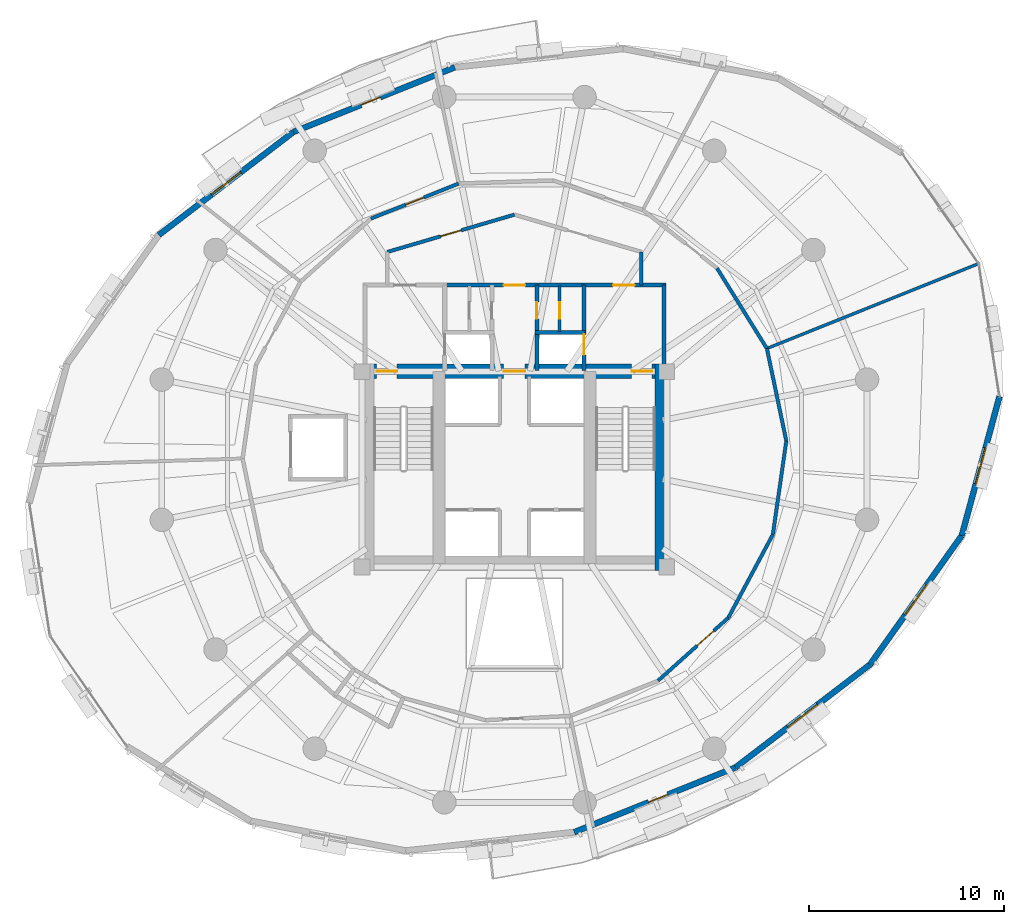
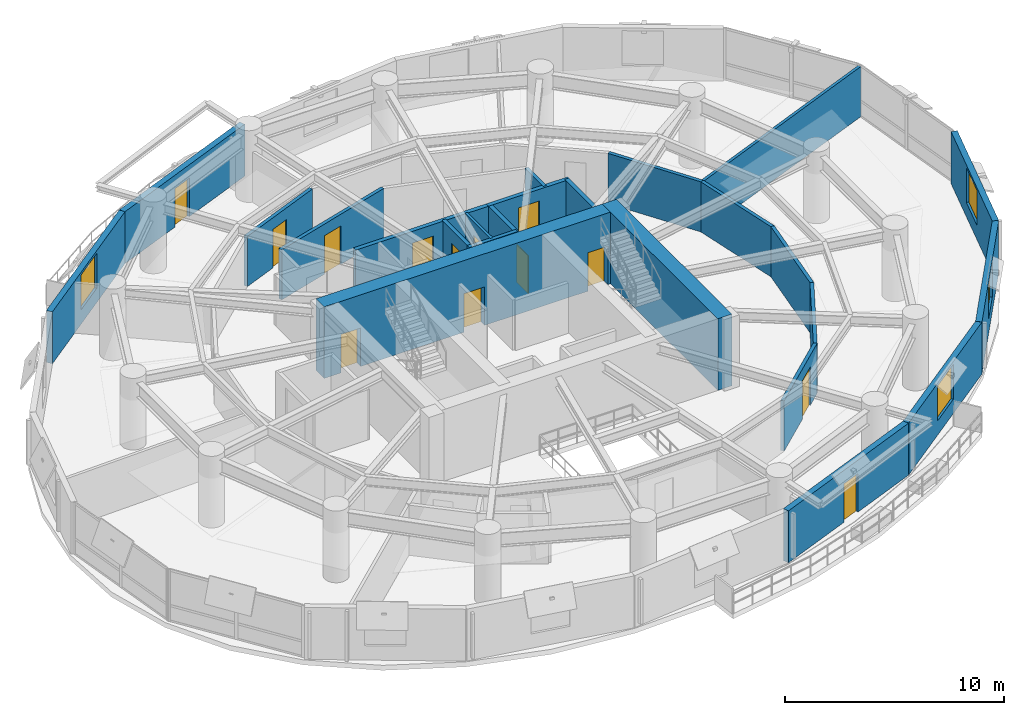
# One storey, part 11 of 14: 24 walls, 13 doors, 4 windows, 17 openings.
"""IFC4 building model written with IfcOpenShell, lengths in metres."""

from ifc_helpers import new_model, si_unit, direction, frame, frame_2d, origin, place, context, subcontext, project, spatial, rectangle, extrude, material, layer, layer_set, type_object, element, fill, save


model = new_model("IFC4")

# Units and contexts
model_context = context("Model", 3, precision=1e-05, world=origin(), true_north=direction((0.0, 1.0)))
body_context = subcontext(model_context, "Body", "Model", "MODEL_VIEW")
ifc_project = project(units=[si_unit("LENGTHUNIT", "METRE"), si_unit("AREAUNIT", "SQUARE_METRE"), si_unit("VOLUMEUNIT", "CUBIC_METRE"), si_unit("PLANEANGLEUNIT", "RADIAN"), si_unit("MASSUNIT", "GRAM", prefix="KILO"), si_unit("THERMODYNAMICTEMPERATUREUNIT", "KELVIN"), si_unit("POWERUNIT", "WATT")], contexts=[model_context])

# Site, building, storey
site_placement = place(None, origin())
site = spatial("IfcSite", under=ifc_project, at=site_placement, CompositionType="ELEMENT")
building_placement = place(site_placement, origin())
building = spatial("IfcBuilding", under=site, at=building_placement, Name="Ocrelia Relay Tower", CompositionType="ELEMENT")
storey_placement = place(building_placement, frame((0.0, 0.0, 125.800048828125)))
storey = spatial("IfcBuildingStorey", under=building, at=storey_placement, Name="L29", CompositionType="ELEMENT", Elevation=125.800048828125)

# Wall, openings, doors
ifc_material_1 = material(Name="Concrete C60/75", Category="concrete")
ifc_layer_1 = layer(ifc_material_1, 0.75, Name="Concrete C60/75")
ifc_layer_set_1 = layer_set([ifc_layer_1], Name="Concrete C60/75")
wall_type_1 = type_object("IfcWallType", Name="CW-CORE-750", PredefinedType="SHEAR", material=ifc_layer_set_1)
wall_1_placement = place(storey_placement, frame((26.072021484375, 30.012939453125, 0.0), z_axis=(0.0, 0.0, 1.0), x_axis=(1.0, 0.0, 0.0)))
wall_1 = element("IfcWall", 1, at=wall_1_placement, inside=storey, type_object=wall_type_1, Name="L29 Core Shear Wall N", PredefinedType="SHEAR", context=body_context, shape_type="SweptSolid", body=[
    extrude(rectangle(XDim=15.865966796875, YDim=0.75, at=frame_2d((7.93310546875, 0.0))), origin(), (0.0, 0.0, 1.0), 4.0),
])
opening_1_placement = place(wall_1_placement, frame((0.8779296875, 0.0, 0.0)))
opening_1 = element("IfcOpeningElement", 2, at=opening_1_placement, cuts=wall_1, Name="Opening D-FD90", PredefinedType="OPENING", context=body_context, shape_type="SweptSolid", body=[
    extrude(rectangle(XDim=1.050048828125, YDim=2.14990234375, at=frame_2d((0.52490234375, 1.074951171875))), frame((0.0, 0.385009765625, 0.0), z_axis=(0.0, -1.0, 0.0), x_axis=(1.0, 0.0, 0.0)), (0.0, 0.0, 1.0), 0.77001953125),
])
opening_2_placement = place(wall_1_placement, frame((13.927978515625, 0.0, 0.0)))
opening_2 = element("IfcOpeningElement", 3, at=opening_2_placement, cuts=wall_1, Name="Opening D-FD90", PredefinedType="OPENING", context=body_context, shape_type="SweptSolid", body=[
    extrude(rectangle(XDim=1.050048828125, YDim=2.14990234375, at=frame_2d((0.52490234375, 1.074951171875))), frame((0.0, 0.385009765625, 0.0), z_axis=(0.0, -1.0, 0.0), x_axis=(1.0, 0.0, 0.0)), (0.0, 0.0, 1.0), 0.77001953125),
])
opening_3_placement = place(wall_1_placement, frame((7.3779296875, 0.0, 0.0)))
opening_3 = element("IfcOpeningElement", 4, at=opening_3_placement, cuts=wall_1, Name="Opening D-FD60", PredefinedType="OPENING", context=body_context, shape_type="SweptSolid", body=[
    extrude(rectangle(XDim=1.10009765625, YDim=2.14990234375, at=frame_2d((0.550048828125, 1.074951171875))), frame((0.0, 0.385009765625, 0.0), z_axis=(0.0, -1.0, 0.0), x_axis=(1.0, 0.0, 0.0)), (0.0, 0.0, 1.0), 0.77001953125),
])
ifc_material_2 = material(Name="Timber-core 60-min acoustic fire door", Category="wood")
door_type_1 = type_object("IfcDoorType", Name="DR-LOBBY-FD60-1100", OperationType="NOTDEFINED", PredefinedType="DOOR", material=ifc_material_2)
door_1_placement = place(opening_3_placement, origin())
door_1 = element("IfcDoor", 5, at=door_1_placement, inside=storey, type_object=door_type_1, Name="L29 Core Lift Lobby North Fire Door", OperationType="SINGLE_SWING_LEFT", OverallHeight=2.14990234375, OverallWidth=1.10009765625, PredefinedType="DOOR", context=body_context, shape_type="SweptSolid", body=[
    extrude(rectangle(XDim=1.10009765625, YDim=2.14990234375, at=frame_2d((0.550048828125, 1.074951171875))), frame((0.0, 0.02490234375, 0.0), z_axis=(0.0, -1.0, 0.0), x_axis=(1.0, 0.0, 0.0)), (0.0, 0.0, 1.0), 0.050048828125),
])
fill(opening_3, door_1)
ifc_material_3 = material(Name="Steel S355 90-min fire door", Category="steel")
door_type_2 = type_object("IfcDoorType", Name="DR-STAIR-FD90-1050", OperationType="NOTDEFINED", PredefinedType="DOOR", material=ifc_material_3)
door_2_placement = place(opening_1_placement, origin())
door_2 = element("IfcDoor", 6, at=door_2_placement, inside=storey, type_object=door_type_2, Name="L29 Stair ST1 Fire Door", OperationType="SINGLE_SWING_LEFT", OverallHeight=2.14990234375, OverallWidth=1.050048828125, PredefinedType="DOOR", context=body_context, shape_type="SweptSolid", body=[
    extrude(rectangle(XDim=1.050048828125, YDim=2.14990234375, at=frame_2d((0.52490234375, 1.074951171875))), frame((0.0, 0.02490234375, 0.0), z_axis=(0.0, -1.0, 0.0), x_axis=(1.0, 0.0, 0.0)), (0.0, 0.0, 1.0), 0.050048828125),
])
fill(opening_1, door_2)
door_3_placement = place(opening_2_placement, origin())
door_3 = element("IfcDoor", 7, at=door_3_placement, inside=storey, type_object=door_type_2, Name="L29 Stair ST2 Fire Door", OperationType="SINGLE_SWING_RIGHT", OverallHeight=2.14990234375, OverallWidth=1.050048828125, PredefinedType="DOOR", context=body_context, shape_type="SweptSolid", body=[
    extrude(rectangle(XDim=1.050048828125, YDim=2.14990234375, at=frame_2d((0.52490234375, 1.074951171875))), frame((0.0, 0.02490234375, 0.0), z_axis=(0.0, -1.0, 0.0), x_axis=(1.0, 0.0, 0.0)), (0.0, 0.0, 1.0), 0.050048828125),
])
fill(opening_2, door_3)

# Walls
wall_2_placement = place(storey_placement, frame((41.56298828125, 19.81201171875, 0.0), z_axis=(0.0, 0.0, 1.0), x_axis=(0.0, 1.0, 0.0)))
element("IfcWall", 8, at=wall_2_placement, inside=storey, type_object=wall_type_1, Name="L29 Core Shear Wall E", PredefinedType="SHEAR", context=body_context, shape_type="SweptSolid", body=[
    extrude(rectangle(XDim=10.575927734375, YDim=0.75, at=frame_2d((5.2880859375, 0.0))), origin(), (0.0, 0.0, 1.0), 4.0),
])
ifc_material_4 = material(Name="Gypsum Fireboard Partition EI60", Category="gypsum")
ifc_layer_2 = layer(ifc_material_4, 0.179931640625, Name="Gypsum Fireboard Partition EI60")
ifc_layer_set_2 = layer_set([ifc_layer_2], Name="Gypsum Fireboard Partition EI60")
wall_type_2 = type_object("IfcWallType", Name="W-CORR-EI60-180", PredefinedType="PARTITIONING", material=ifc_layer_set_2)
wall_3_placement = place(storey_placement, frame((40.5, 36.122802734375, 0.0), z_axis=(0.0, 0.0, 1.0), x_axis=(0.0, -1.0, 0.0)))
element("IfcWall", 9, at=wall_3_placement, inside=storey, type_object=wall_type_2, Name="L29 Smoke Lobby East Return", PredefinedType="PARTITIONING", context=body_context, shape_type="SweptSolid", body=[
    extrude(rectangle(XDim=1.69287109375, YDim=0.179931640625, at=frame_2d((0.846435546875, 0.0))), origin(), (0.0, 0.0, 1.0), 2.800048828125),
])

# Wall, opening, door
wall_4_placement = place(storey_placement, frame((27.5, 36.122802734375, 0.0), z_axis=(0.0, 0.0, 1.0), x_axis=(0.959546654541, 0.281549671923, 0.0)))
wall_4 = element("IfcWall", 10, at=wall_4_placement, inside=storey, type_object=wall_type_2, Name="L29 North Smoke Lobby W Screen Wall", PredefinedType="PARTITIONING", context=body_context, shape_type="SweptSolid", body=[
    extrude(rectangle(XDim=6.77392578125, YDim=0.179931640625, at=frame_2d((3.386962890625, 0.0))), origin(), (0.0, 0.0, 1.0), 2.800048828125),
])
opening_4_placement = place(wall_4_placement, frame((2.8369140625, 0.0, 0.0)))
opening_4 = element("IfcOpeningElement", 11, at=opening_4_placement, cuts=wall_4, Name="Opening D-FD60", PredefinedType="OPENING", context=body_context, shape_type="SweptSolid", body=[
    extrude(rectangle(XDim=1.10009765625, YDim=2.14990234375, at=frame_2d((0.550048828125, 1.074951171875))), frame((0.0, 0.10009765625, 0.0), z_axis=(0.0, -1.0, 0.0), x_axis=(1.0, 0.0, 0.0)), (0.0, 0.0, 1.0), 0.199951171875),
])
door_4_placement = place(opening_4_placement, origin())
door_4 = element("IfcDoor", 12, at=door_4_placement, inside=storey, type_object=door_type_1, Name="L29 North Smoke Lobby W Fire Door", OperationType="SINGLE_SWING_LEFT", OverallHeight=2.14990234375, OverallWidth=1.10009765625, PredefinedType="DOOR", context=body_context, shape_type="SweptSolid", body=[
    extrude(rectangle(XDim=1.10009765625, YDim=2.14990234375, at=frame_2d((0.550048828125, 1.074951171875))), frame((0.0, 0.02490234375, 0.0), z_axis=(0.0, -1.0, 0.0), x_axis=(1.0, 0.0, 0.0)), (0.0, 0.0, 1.0), 0.050048828125),
])
fill(opening_4, door_4)

wall_5_placement = place(storey_placement, frame((41.345458984375, 14.17578125, 0.0), z_axis=(0.0, 0.0, 1.0), x_axis=(0.744874027172, 0.66720512861, 0.0)))
wall_5 = element("IfcWall", 13, at=wall_5_placement, inside=storey, type_object=wall_type_2, Name="L29 Optical Switching Hall A Corridor Partition 2", PredefinedType="PARTITIONING", context=body_context, shape_type="SweptSolid", body=[
    extrude(rectangle(XDim=4.83447265625, YDim=0.179931640625, at=frame_2d((2.417236328125, 0.0))), origin(), (0.0, 0.0, 1.0), 2.800048828125),
])
opening_5_placement = place(wall_5_placement, frame((2.688232421875, 0.0, 0.0)))
opening_5 = element("IfcOpeningElement", 14, at=opening_5_placement, cuts=wall_5, Name="Opening D-RM115", PredefinedType="OPENING", context=body_context, shape_type="SweptSolid", body=[
    extrude(rectangle(XDim=1.14990234375, YDim=2.14990234375, at=frame_2d((0.574951171875, 1.074951171875))), frame((0.0, 0.10009765625, 0.0), z_axis=(0.0, -1.0, 0.0), x_axis=(1.0, 0.0, 0.0)), (0.0, 0.0, 1.0), 0.199951171875),
])
ifc_material_5 = material(Name="Wide acoustic oak veneer fire door", Category="wood")
door_type_3 = type_object("IfcDoorType", Name="DR-ROOM-1150", OperationType="NOTDEFINED", PredefinedType="DOOR", material=ifc_material_5)
door_5_placement = place(opening_5_placement, origin())
door_5 = element("IfcDoor", 15, at=door_5_placement, inside=storey, type_object=door_type_3, Name="L29 Optical Switching Hall A Entrance Door", OperationType="SINGLE_SWING_RIGHT", OverallHeight=2.14990234375, OverallWidth=1.14990234375, PredefinedType="DOOR", context=body_context, shape_type="SweptSolid", body=[
    extrude(rectangle(XDim=1.14990234375, YDim=2.14990234375, at=frame_2d((0.574951171875, 1.074951171875))), frame((0.0, 0.02490234375, 0.0), z_axis=(0.0, -1.0, 0.0), x_axis=(1.0, 0.0, 0.0)), (0.0, 0.0, 1.0), 0.050048828125),
])
fill(opening_5, door_5)

# Walls
wall_6_placement = place(storey_placement, frame((44.946533203125, 17.4013671875, 0.0), z_axis=(0.0, 0.0, 1.0), x_axis=(0.4717883109, 0.881711851853, 0.0)))
element("IfcWall", 16, at=wall_6_placement, inside=storey, type_object=wall_type_2, Name="L29 Optical Switching Hall A Corridor Partition 3", PredefinedType="PARTITIONING", context=body_context, shape_type="SweptSolid", body=[
    extrude(rectangle(XDim=4.834228515625, YDim=0.179931640625, at=frame_2d((2.4169921875, 0.0))), origin(), (0.0, 0.0, 1.0), 2.800048828125),
])
wall_7_placement = place(storey_placement, frame((47.227294921875, 21.663818359375, 0.0), z_axis=(0.0, 0.0, 1.0), x_axis=(0.141753638595, 0.989901967846, 0.0)))
element("IfcWall", 17, at=wall_7_placement, inside=storey, type_object=wall_type_2, Name="L29 Optical Switching Hall A Corridor Partition 4", PredefinedType="PARTITIONING", context=body_context, shape_type="SweptSolid", body=[
    extrude(rectangle(XDim=4.83447265625, YDim=0.179931640625, at=frame_2d((2.417236328125, 0.0))), origin(), (0.0, 0.0, 1.0), 2.800048828125),
])
for number, where, z_axis, x_axis, name in (
    (18, (47.91259765625, 26.449462890625, 0.0), (0.0, 0.0, 1.0), (-0.205343584518, 0.978689946969, 0.0), "L29 Optical Switching Hall A Corridor Partition 5"),
    (19, (46.919921875, 31.1806640625, 0.0), (0.0, 0.0, 1.0), (-0.527690930955, 0.849436449293, 0.0), "L29 Technical Reference Library Corridor Partition 1"),
):
    element("IfcWall", number, at=place(storey_placement, frame(where, z_axis=z_axis, x_axis=x_axis)), inside=storey, type_object=wall_type_2, Name=name, PredefinedType="PARTITIONING", context=body_context, shape_type="SweptSolid", body=[
        extrude(rectangle(XDim=4.834228515625, YDim=0.179931640625, at=frame_2d((2.4169921875, 0.0))), origin(), (0.0, 0.0, 1.0), 2.800048828125),
    ])

# Wall, opening, door
wall_8_placement = place(storey_placement, frame((31.1416015625, 39.623291015625, 0.0), z_axis=(0.0, 0.0, 1.0), x_axis=(-0.928173370801, -0.372148080387, 0.0)))
wall_8 = element("IfcWall", 20, at=wall_8_placement, inside=storey, type_object=wall_type_2, Name="L29 Staff Wellness Room Corridor Partition 1", PredefinedType="PARTITIONING", context=body_context, shape_type="SweptSolid", body=[
    extrude(rectangle(XDim=4.834228515625, YDim=0.179931640625, at=frame_2d((2.4169921875, 0.0))), origin(), (0.0, 0.0, 1.0), 2.800048828125),
])
opening_6_placement = place(wall_8_placement, frame((1.9169921875, 0.0, 0.0)))
opening_6 = element("IfcOpeningElement", 21, at=opening_6_placement, cuts=wall_8, Name="Opening D-RM100", PredefinedType="OPENING", context=body_context, shape_type="SweptSolid", body=[
    extrude(rectangle(XDim=1.0, YDim=2.14990234375, at=frame_2d((0.5, 1.074951171875))), frame((0.0, 0.10009765625, 0.0), z_axis=(0.0, -1.0, 0.0), x_axis=(1.0, 0.0, 0.0)), (0.0, 0.0, 1.0), 0.199951171875),
])
ifc_material_6 = material(Name="Acoustic oak veneer fire door", Category="wood")
door_type_4 = type_object("IfcDoorType", Name="DR-ROOM-FD60-1000", OperationType="NOTDEFINED", PredefinedType="DOOR", material=ifc_material_6)
door_6_placement = place(opening_6_placement, origin())
door_6 = element("IfcDoor", 22, at=door_6_placement, inside=storey, type_object=door_type_4, Name="L29 Staff Wellness Room Entrance Door", OperationType="SINGLE_SWING_LEFT", OverallHeight=2.14990234375, OverallWidth=1.0, PredefinedType="DOOR", context=body_context, shape_type="SweptSolid", body=[
    extrude(rectangle(XDim=1.0, YDim=2.14990234375, at=frame_2d((0.5, 1.074951171875))), frame((0.0, 0.02490234375, 0.0), z_axis=(0.0, -1.0, 0.0), x_axis=(1.0, 0.0, 0.0)), (0.0, 0.0, 1.0), 0.050048828125),
])
fill(opening_6, door_6)

ifc_material_7 = material(Name="Precast concrete C40/50 with oxide terracotta", Category="masonry")
ifc_layer_3 = layer(ifc_material_7, 0.300048828125, Name="Precast concrete C40/50 with oxide terracotta")
ifc_layer_set_3 = layer_set([ifc_layer_3], Name="Precast concrete C40/50 with oxide terracotta")
wall_type_3 = type_object("IfcWallType", Name="W-EXT-TERR-300", PredefinedType="SOLIDWALL", material=ifc_layer_set_3)
wall_9_placement = place(storey_placement, frame((30.942138671875, 45.570068359375, 0.0), z_axis=(0.0, 0.0, 1.0), x_axis=(-0.928154394982, -0.372195404426, 0.0)))
wall_9 = element("IfcWall", 23, at=wall_9_placement, inside=storey, type_object=wall_type_3, Name="L29 Oxide Terracotta Facade Wall 05", PredefinedType="SOLIDWALL", context=body_context, shape_type="SweptSolid", body=[
    extrude(rectangle(XDim=8.890625, YDim=0.300048828125, at=frame_2d((4.4453125, 0.0))), origin(), (0.0, 0.0, 1.0), 2.89990234375),
])
opening_7_placement = place(wall_9_placement, frame((4.110107421875, 0.0, 0.0)))
opening_7 = element("IfcOpeningElement", 24, at=opening_7_placement, cuts=wall_9, Name="Opening DB-105", PredefinedType="OPENING", context=body_context, shape_type="SweptSolid", body=[
    extrude(rectangle(XDim=1.050048828125, YDim=2.14990234375, at=frame_2d((0.52490234375, 1.074951171875))), frame((0.0, 0.16015625, 0.0), z_axis=(0.0, -1.0, 0.0), x_axis=(1.0, 0.0, 0.0)), (0.0, 0.0, 1.0), 0.320068359375),
])
ifc_material_8 = material(Name="Thermally broken aluminium and clear glass", Category="aluminium")
door_type_5 = type_object("IfcDoorType", Name="DR-BALC-1050", OperationType="NOTDEFINED", PredefinedType="DOOR", material=ifc_material_8)
door_7_placement = place(opening_7_placement, origin())
door_7 = element("IfcDoor", 25, at=door_7_placement, inside=storey, type_object=door_type_5, Name="L29 Planted Loggia Balcony Door B1", OperationType="SINGLE_SWING_LEFT", OverallHeight=2.14990234375, OverallWidth=1.050048828125, PredefinedType="DOOR", context=body_context, shape_type="SweptSolid", body=[
    extrude(rectangle(XDim=1.050048828125, YDim=2.14990234375, at=frame_2d((0.52490234375, 1.074951171875))), frame((0.0, 0.02490234375, 0.0), z_axis=(0.0, -1.0, 0.0), x_axis=(1.0, 0.0, 0.0)), (0.0, 0.0, 1.0), 0.050048828125),
])
fill(opening_7, door_7)

# Wall, opening, window
wall_10_placement = place(storey_placement, frame((22.690185546875, 42.260986328125, 0.0), z_axis=(0.0, 0.0, 1.0), x_axis=(-0.794200404565, -0.607655920229, 0.0)))
wall_10 = element("IfcWall", 26, at=wall_10_placement, inside=storey, type_object=wall_type_3, Name="L29 Oxide Terracotta Facade Wall 06", PredefinedType="SOLIDWALL", context=body_context, shape_type="SweptSolid", body=[
    extrude(rectangle(XDim=8.673095703125, YDim=0.300048828125, at=frame_2d((4.33642578125, 0.0))), origin(), (0.0, 0.0, 1.0), 2.89990234375),
])
opening_8_placement = place(wall_10_placement, frame((3.385986328125, 0.0, 0.800048828125)))
opening_8 = element("IfcOpeningElement", 27, at=opening_8_placement, cuts=wall_10, Name="Opening W-06", PredefinedType="OPENING", context=body_context, shape_type="SweptSolid", body=[
    extrude(rectangle(XDim=1.89990234375, YDim=1.949951171875, at=frame_2d((0.949951171875, 0.97509765625))), frame((0.0, 0.16015625, 0.0), z_axis=(0.0, -1.0, 0.0), x_axis=(1.0, 0.0, 0.0)), (0.0, 0.0, 1.0), 0.320068359375),
])
ifc_material_9 = material(Name="Clear double-glazed low-E glass", Category="glass")
window_type = type_object("IfcWindowType", Name="WIN-Z2-1900x2100", PartitioningType="DOUBLE_PANEL_VERTICAL", PredefinedType="WINDOW", material=ifc_material_9)
window_1_placement = place(opening_8_placement, origin())
window_1 = element("IfcWindow", 28, at=window_1_placement, inside=storey, type_object=window_type, Name="L29 Facade Module Window 06", OverallHeight=1.949951171875, OverallWidth=1.89990234375, PartitioningType="SINGLE_PANEL", PredefinedType="WINDOW", context=body_context, shape_type="SweptSolid", body=[
    extrude(rectangle(XDim=1.89990234375, YDim=1.949951171875, at=frame_2d((0.949951171875, 0.97509765625))), frame((0.0, 0.030029296875, 0.0), z_axis=(0.0, -1.0, 0.0), x_axis=(1.0, 0.0, 0.0)), (0.0, 0.0, 1.0), 0.06005859375),
])
fill(opening_8, window_1)

# Wall, opening, door
wall_11_placement = place(storey_placement, frame((37.057861328125, 6.429931640625, 0.0), z_axis=(0.0, 0.0, 1.0), x_axis=(0.928154394982, 0.372195404426, 0.0)))
wall_11 = element("IfcWall", 29, at=wall_11_placement, inside=storey, type_object=wall_type_3, Name="L29 Oxide Terracotta Facade Wall 14", PredefinedType="SOLIDWALL", context=body_context, shape_type="SweptSolid", body=[
    extrude(rectangle(XDim=8.890625, YDim=0.300048828125, at=frame_2d((4.4453125, 0.0))), origin(), (0.0, 0.0, 1.0), 2.89990234375),
])
opening_9_placement = place(wall_11_placement, frame((4.110107421875, 0.0, 0.0)))
opening_9 = element("IfcOpeningElement", 30, at=opening_9_placement, cuts=wall_11, Name="Opening DB-105", PredefinedType="OPENING", context=body_context, shape_type="SweptSolid", body=[
    extrude(rectangle(XDim=1.050048828125, YDim=2.14990234375, at=frame_2d((0.52490234375, 1.074951171875))), frame((0.0, 0.16015625, 0.0), z_axis=(0.0, -1.0, 0.0), x_axis=(1.0, 0.0, 0.0)), (0.0, 0.0, 1.0), 0.320068359375),
])
door_8_placement = place(opening_9_placement, origin())
door_8 = element("IfcDoor", 31, at=door_8_placement, inside=storey, type_object=door_type_5, Name="L29 Planted Loggia Balcony Door B2", OperationType="SINGLE_SWING_LEFT", OverallHeight=2.14990234375, OverallWidth=1.050048828125, PredefinedType="DOOR", context=body_context, shape_type="SweptSolid", body=[
    extrude(rectangle(XDim=1.050048828125, YDim=2.14990234375, at=frame_2d((0.52490234375, 1.074951171875))), frame((0.0, 0.02490234375, 0.0), z_axis=(0.0, -1.0, 0.0), x_axis=(1.0, 0.0, 0.0)), (0.0, 0.0, 1.0), 0.050048828125),
])
fill(opening_9, door_8)

# Wall, opening, window
wall_12_placement = place(storey_placement, frame((45.309814453125, 9.739013671875, 0.0), z_axis=(0.0, 0.0, 1.0), x_axis=(0.794200404565, 0.607655920229, 0.0)))
wall_12 = element("IfcWall", 32, at=wall_12_placement, inside=storey, type_object=wall_type_3, Name="L29 Oxide Terracotta Facade Wall 15", PredefinedType="SOLIDWALL", context=body_context, shape_type="SweptSolid", body=[
    extrude(rectangle(XDim=8.673095703125, YDim=0.300048828125, at=frame_2d((4.33642578125, 0.0))), origin(), (0.0, 0.0, 1.0), 2.89990234375),
])
opening_10_placement = place(wall_12_placement, frame((3.385986328125, 0.0, 0.800048828125)))
opening_10 = element("IfcOpeningElement", 33, at=opening_10_placement, cuts=wall_12, Name="Opening W-06", PredefinedType="OPENING", context=body_context, shape_type="SweptSolid", body=[
    extrude(rectangle(XDim=1.89990234375, YDim=1.949951171875, at=frame_2d((0.949951171875, 0.97509765625))), frame((0.0, 0.16015625, 0.0), z_axis=(0.0, -1.0, 0.0), x_axis=(1.0, 0.0, 0.0)), (0.0, 0.0, 1.0), 0.320068359375),
])
window_2_placement = place(opening_10_placement, origin())
window_2 = element("IfcWindow", 34, at=window_2_placement, inside=storey, type_object=window_type, Name="L29 Facade Module Window 15", OverallHeight=1.949951171875, OverallWidth=1.89990234375, PartitioningType="SINGLE_PANEL", PredefinedType="WINDOW", context=body_context, shape_type="SweptSolid", body=[
    extrude(rectangle(XDim=1.89990234375, YDim=1.949951171875, at=frame_2d((0.949951171875, 0.97509765625))), frame((0.0, 0.030029296875, 0.0), z_axis=(0.0, -1.0, 0.0), x_axis=(1.0, 0.0, 0.0)), (0.0, 0.0, 1.0), 0.06005859375),
])
fill(opening_10, window_2)

wall_13_placement = place(storey_placement, frame((52.197998046875, 15.00927734375, 0.0), z_axis=(0.0, 0.0, 1.0), x_axis=(0.579736538908, 0.814803992047, 0.0)))
wall_13 = element("IfcWall", 35, at=wall_13_placement, inside=storey, type_object=wall_type_3, Name="L29 Oxide Terracotta Facade Wall 16", PredefinedType="SOLIDWALL", context=body_context, shape_type="SweptSolid", body=[
    extrude(rectangle(XDim=8.0947265625, YDim=0.300048828125, at=frame_2d((4.04736328125, 0.0))), origin(), (0.0, 0.0, 1.0), 2.89990234375),
])
opening_11_placement = place(wall_13_placement, frame((3.097900390625, 0.0, 0.800048828125)))
opening_11 = element("IfcOpeningElement", 36, at=opening_11_placement, cuts=wall_13, Name="Opening W-06", PredefinedType="OPENING", context=body_context, shape_type="SweptSolid", body=[
    extrude(rectangle(XDim=1.89990234375, YDim=1.949951171875, at=frame_2d((0.949951171875, 0.97509765625))), frame((0.0, 0.16015625, 0.0), z_axis=(0.0, -1.0, 0.0), x_axis=(1.0, 0.0, 0.0)), (0.0, 0.0, 1.0), 0.320068359375),
])
window_3_placement = place(opening_11_placement, origin())
window_3 = element("IfcWindow", 37, at=window_3_placement, inside=storey, type_object=window_type, Name="L29 Facade Module Window 16", OverallHeight=1.949951171875, OverallWidth=1.89990234375, PartitioningType="SINGLE_PANEL", PredefinedType="WINDOW", context=body_context, shape_type="SweptSolid", body=[
    extrude(rectangle(XDim=1.89990234375, YDim=1.949951171875, at=frame_2d((0.949951171875, 0.97509765625))), frame((0.0, 0.030029296875, 0.0), z_axis=(0.0, -1.0, 0.0), x_axis=(1.0, 0.0, 0.0)), (0.0, 0.0, 1.0), 0.06005859375),
])
fill(opening_11, window_3)

wall_14_placement = place(storey_placement, frame((56.890869140625, 21.60498046875, 0.0), z_axis=(0.0, 0.0, 1.0), x_axis=(0.261681809646, 0.965154200374, 0.0)))
wall_14 = element("IfcWall", 38, at=wall_14_placement, inside=storey, type_object=wall_type_3, Name="L29 Oxide Terracotta Facade Wall 17", PredefinedType="SOLIDWALL", context=body_context, shape_type="SweptSolid", body=[
    extrude(rectangle(XDim=7.383544921875, YDim=0.300048828125, at=frame_2d((3.69189453125, 0.0))), origin(), (0.0, 0.0, 1.0), 2.89990234375),
])
opening_12_placement = place(wall_14_placement, frame((2.741943359375, 0.0, 0.800048828125)))
opening_12 = element("IfcOpeningElement", 39, at=opening_12_placement, cuts=wall_14, Name="Opening W-06", PredefinedType="OPENING", context=body_context, shape_type="SweptSolid", body=[
    extrude(rectangle(XDim=1.89990234375, YDim=1.949951171875, at=frame_2d((0.949951171875, 0.97509765625))), frame((0.0, 0.16015625, 0.0), z_axis=(0.0, -1.0, 0.0), x_axis=(1.0, 0.0, 0.0)), (0.0, 0.0, 1.0), 0.320068359375),
])
window_4_placement = place(opening_12_placement, origin())
window_4 = element("IfcWindow", 40, at=window_4_placement, inside=storey, type_object=window_type, Name="L29 Facade Module Window 17", OverallHeight=1.949951171875, OverallWidth=1.89990234375, PartitioningType="SINGLE_PANEL", PredefinedType="WINDOW", context=body_context, shape_type="SweptSolid", body=[
    extrude(rectangle(XDim=1.89990234375, YDim=1.949951171875, at=frame_2d((0.949951171875, 0.97509765625))), frame((0.0, 0.030029296875, 0.0), z_axis=(0.0, -1.0, 0.0), x_axis=(1.0, 0.0, 0.0)), (0.0, 0.0, 1.0), 0.06005859375),
])
fill(opening_12, window_4)

# Wall, opening, door
ifc_material_10 = material(Name="Concrete C50/60", Category="concrete")
ifc_layer_4 = layer(ifc_material_10, 0.219970703125, Name="Concrete C50/60")
ifc_layer_set_4 = layer_set([ifc_layer_4], Name="Concrete C50/60")
wall_type_4 = type_object("IfcWallType", Name="W-FFL-EI120-220", PredefinedType="SOLIDWALL", material=ifc_layer_set_4)
wall_15_placement = place(storey_placement, frame((37.56005859375, 30.050048828125, 0.0), z_axis=(0.0, 0.0, 1.0), x_axis=(0.0, 1.0, 0.0)))
wall_15 = element("IfcWall", 41, at=wall_15_placement, inside=storey, type_object=wall_type_4, Name="L29 E Fire Service Lift Lobby West Wall", PredefinedType="SOLIDWALL", context=body_context, shape_type="SweptSolid", body=[
    extrude(rectangle(XDim=4.3798828125, YDim=0.219970703125, at=frame_2d((2.18994140625, 0.0))), origin(), (0.0, 0.0, 1.0), 2.800048828125),
])
opening_13_placement = place(wall_15_placement, frame((0.800048828125, 0.0, 0.0)))
opening_13 = element("IfcOpeningElement", 42, at=opening_13_placement, cuts=wall_15, Name="Opening LD-FFL2", PredefinedType="OPENING", context=body_context, shape_type="SweptSolid", body=[
    extrude(rectangle(XDim=1.050048828125, YDim=2.10009765625, at=frame_2d((0.52490234375, 1.050048828125))), frame((0.0, 0.1201171875, 0.0), z_axis=(0.0, -1.0, 0.0), x_axis=(1.0, 0.0, 0.0)), (0.0, 0.0, 1.0), 0.239990234375),
])
ifc_material_11 = material(Name="Brushed stainless steel S355 lift landing door", Category="steel")
door_type_6 = type_object("IfcDoorType", Name="DR-LIFT-LAND-1050", OperationType="DOUBLE_DOOR_SLIDING", PredefinedType="USERDEFINED", material=ifc_material_11)
door_9_placement = place(opening_13_placement, origin())
door_9 = element("IfcDoor", 43, at=door_9_placement, inside=storey, type_object=door_type_6, Name="L29 Firefighting Lift FFL2 Sliding Landing Door", ObjectType="LANDING DOOR", OperationType="DOUBLE_DOOR_SLIDING", OverallHeight=2.10009765625, OverallWidth=1.050048828125, PredefinedType="USERDEFINED", context=body_context, shape_type="SweptSolid", body=[
    extrude(rectangle(XDim=1.050048828125, YDim=2.10009765625, at=frame_2d((0.52490234375, 1.050048828125))), frame((0.0, 0.02490234375, 0.0), z_axis=(0.0, -1.0, 0.0), x_axis=(1.0, 0.0, 0.0)), (0.0, 0.0, 1.0), 0.050048828125),
])
fill(opening_13, door_9)

# Wall
wall_16_placement = place(storey_placement, frame((41.64990234375, 30.050048828125, 0.0), z_axis=(0.0, 0.0, 1.0), x_axis=(0.0, 1.0, 0.0)))
element("IfcWall", 44, at=wall_16_placement, inside=storey, type_object=wall_type_4, Name="L29 E Fire Service Lift Lobby East Wall", PredefinedType="SOLIDWALL", context=body_context, shape_type="SweptSolid", body=[
    extrude(rectangle(XDim=4.3798828125, YDim=0.219970703125, at=frame_2d((2.18994140625, 0.0))), origin(), (0.0, 0.0, 1.0), 2.800048828125),
])

# Wall, opening, door
wall_17_placement = place(storey_placement, frame((37.449951171875, 34.429931640625, 0.0), z_axis=(0.0, 0.0, 1.0), x_axis=(1.0, 0.0, 0.0)))
wall_17 = element("IfcWall", 45, at=wall_17_placement, inside=storey, type_object=wall_type_4, Name="L29 E Fire Service Lift Lobby North Wall", PredefinedType="SOLIDWALL", context=body_context, shape_type="SweptSolid", body=[
    extrude(rectangle(XDim=4.31005859375, YDim=0.219970703125, at=frame_2d((2.155029296875, 0.0))), origin(), (0.0, 0.0, 1.0), 2.800048828125),
])
opening_14_placement = place(wall_17_placement, frame((1.60009765625, 0.0, 0.0)))
opening_14 = element("IfcOpeningElement", 46, at=opening_14_placement, cuts=wall_17, Name="Opening D-FD60", PredefinedType="OPENING", context=body_context, shape_type="SweptSolid", body=[
    extrude(rectangle(XDim=1.10009765625, YDim=2.14990234375, at=frame_2d((0.550048828125, 1.074951171875))), frame((0.0, 0.1201171875, 0.0), z_axis=(0.0, -1.0, 0.0), x_axis=(1.0, 0.0, 0.0)), (0.0, 0.0, 1.0), 0.239990234375),
])
door_10_placement = place(opening_14_placement, origin())
door_10 = element("IfcDoor", 47, at=door_10_placement, inside=storey, type_object=door_type_1, Name="L29 E Fire Service Lift Lobby Exit Door", OperationType="SINGLE_SWING_RIGHT", OverallHeight=2.14990234375, OverallWidth=1.10009765625, PredefinedType="DOOR", context=body_context, shape_type="SweptSolid", body=[
    extrude(rectangle(XDim=1.10009765625, YDim=2.14990234375, at=frame_2d((0.550048828125, 1.074951171875))), frame((0.0, 0.02490234375, 0.0), z_axis=(0.0, -1.0, 0.0), x_axis=(1.0, 0.0, 0.0)), (0.0, 0.0, 1.0), 0.050048828125),
])
fill(opening_14, door_10)

wall_18_placement = place(storey_placement, frame((30.43994140625, 34.429931640625, 0.0), z_axis=(0.0, 0.0, 1.0), x_axis=(1.0, 0.0, 0.0)))
wall_18 = element("IfcWall", 48, at=wall_18_placement, inside=storey, type_object=wall_type_4, Name="L29 North Core Vestibule Wall", PredefinedType="SOLIDWALL", context=body_context, shape_type="SweptSolid", body=[
    extrude(rectangle(XDim=7.1201171875, YDim=0.219970703125, at=frame_2d((3.56005859375, 0.0))), origin(), (0.0, 0.0, 1.0), 2.800048828125),
])
opening_15_placement = place(wall_18_placement, frame((3.010009765625, 0.0, 0.0)))
opening_15 = element("IfcOpeningElement", 49, at=opening_15_placement, cuts=wall_18, Name="Opening D-FD60", PredefinedType="OPENING", context=body_context, shape_type="SweptSolid", body=[
    extrude(rectangle(XDim=1.10009765625, YDim=2.14990234375, at=frame_2d((0.550048828125, 1.074951171875))), frame((0.0, 0.1201171875, 0.0), z_axis=(0.0, -1.0, 0.0), x_axis=(1.0, 0.0, 0.0)), (0.0, 0.0, 1.0), 0.239990234375),
])
door_11_placement = place(opening_15_placement, origin())
door_11 = element("IfcDoor", 50, at=door_11_placement, inside=storey, type_object=door_type_1, Name="L29 North Core Vestibule Corridor Door", OperationType="SINGLE_SWING_RIGHT", OverallHeight=2.14990234375, OverallWidth=1.10009765625, PredefinedType="DOOR", context=body_context, shape_type="SweptSolid", body=[
    extrude(rectangle(XDim=1.10009765625, YDim=2.14990234375, at=frame_2d((0.550048828125, 1.074951171875))), frame((0.0, 0.02490234375, 0.0), z_axis=(0.0, -1.0, 0.0), x_axis=(1.0, 0.0, 0.0)), (0.0, 0.0, 1.0), 0.050048828125),
])
fill(opening_15, door_11)

ifc_material_12 = material(Name="Acoustic Fireboard Partition EI60", Category="gypsum")
ifc_layer_5 = layer(ifc_material_12, 0.14990234375, Name="Acoustic Fireboard Partition EI60")
ifc_layer_set_5 = layer_set([ifc_layer_5], Name="Acoustic Fireboard Partition EI60")
wall_type_5 = type_object("IfcWallType", Name="W-PART-150", PredefinedType="PARTITIONING", material=ifc_layer_set_5)
wall_19_placement = place(storey_placement, frame((36.31005859375, 32.050048828125, 0.0), z_axis=(0.0, 0.0, 1.0), x_axis=(0.0, 1.0, 0.0)))
wall_19 = element("IfcWall", 51, at=wall_19_placement, inside=storey, type_object=wall_type_5, Name="L29 East Core Support Partition", PredefinedType="PARTITIONING", context=body_context, shape_type="SweptSolid", body=[
    extrude(rectangle(XDim=2.329833984375, YDim=0.14990234375, at=frame_2d((1.1650390625, 0.0))), origin(), (0.0, 0.0, 1.0), 2.800048828125),
])
opening_16_placement = place(wall_19_placement, frame((0.64990234375, 0.0, 0.0)))
opening_16 = element("IfcOpeningElement", 52, at=opening_16_placement, cuts=wall_19, Name="Opening D-RS86", PredefinedType="OPENING", context=body_context, shape_type="SweptSolid", body=[
    extrude(rectangle(XDim=0.860107421875, YDim=2.050048828125, at=frame_2d((0.43017578125, 1.02490234375))), frame((0.0, 0.0849609375, 0.0), z_axis=(0.0, -1.0, 0.0), x_axis=(1.0, 0.0, 0.0)), (0.0, 0.0, 1.0), 0.169921875),
])
ifc_material_13 = material(Name="Steel S355 riser access fire door", Category="steel")
door_type_7 = type_object("IfcDoorType", Name="DR-RISER-TRAP-860", OperationType="NOTDEFINED", PredefinedType="TRAPDOOR", material=ifc_material_13)
door_12_placement = place(opening_16_placement, origin())
door_12 = element("IfcDoor", 53, at=door_12_placement, inside=storey, type_object=door_type_7, Name="L29 East Core Store Connecting Door", OperationType="SINGLE_SWING_RIGHT", OverallHeight=2.050048828125, OverallWidth=0.860107421875, PredefinedType="TRAPDOOR", context=body_context, shape_type="SweptSolid", body=[
    extrude(rectangle(XDim=0.860107421875, YDim=2.050048828125, at=frame_2d((0.43017578125, 1.02490234375))), frame((0.0, 0.02490234375, 0.0), z_axis=(0.0, -1.0, 0.0), x_axis=(1.0, 0.0, 0.0)), (0.0, 0.0, 1.0), 0.050048828125),
])
fill(opening_16, door_12)

# Walls
wall_20_placement = place(storey_placement, frame((46.919921875, 31.1806640625, 0.0), z_axis=(0.0, 0.0, 1.0), x_axis=(0.928159216565, 0.372183380479, 0.0)))
element("IfcWall", 54, at=wall_20_placement, inside=storey, type_object=wall_type_5, Name="L29 Optical Switching Hall A Radial Partition", PredefinedType="PARTITIONING", context=body_context, shape_type="SweptSolid", body=[
    extrude(rectangle(XDim=11.68017578125, YDim=0.14990234375, at=frame_2d((5.840087890625, 0.0))), origin(), (0.0, 0.0, 1.0), 2.800048828125),
])
ifc_layer_6 = layer(ifc_material_10, 0.199951171875, Name="Concrete C50/60")
ifc_layer_set_6 = layer_set([ifc_layer_6], Name="Concrete C50/60")
wall_type_6 = type_object("IfcWallType", Name="W-SHAFT-EI120-200", PredefinedType="SOLIDWALL", material=ifc_layer_set_6)
wall_21_placement = place(storey_placement, frame((35.050048828125, 32.0, 0.0), z_axis=(0.0, 0.0, 1.0), x_axis=(1.0, 0.0, 0.0)))
element("IfcWall", 55, at=wall_21_placement, inside=storey, type_object=wall_type_6, Name="L29 FFL2 Hoistway North Wall", PredefinedType="SOLIDWALL", context=body_context, shape_type="SweptSolid", body=[
    extrude(rectangle(XDim=2.550048828125, YDim=0.199951171875, at=frame_2d((1.27490234375, 0.0))), origin(), (0.0, 0.0, 1.0), 2.800048828125),
])

# Wall, opening, door
wall_22_placement = place(storey_placement, frame((35.14990234375, 30.050048828125, 0.0), z_axis=(0.0, 0.0, 1.0), x_axis=(0.0, 1.0, 0.0)))
wall_22 = element("IfcWall", 56, at=wall_22_placement, inside=storey, type_object=wall_type_6, Name="L29 FFL2 and Service Vestibule Wall", PredefinedType="SOLIDWALL", context=body_context, shape_type="SweptSolid", body=[
    extrude(rectangle(XDim=4.3798828125, YDim=0.199951171875, at=frame_2d((2.18994140625, 0.0))), origin(), (0.0, 0.0, 1.0), 2.800048828125),
])
opening_17_placement = place(wall_22_placement, frame((2.64990234375, 0.0, 0.0)))
opening_17 = element("IfcOpeningElement", 57, at=opening_17_placement, cuts=wall_22, Name="Opening D-RS86", PredefinedType="OPENING", context=body_context, shape_type="SweptSolid", body=[
    extrude(rectangle(XDim=0.860107421875, YDim=2.050048828125, at=frame_2d((0.43017578125, 1.02490234375))), frame((0.0, 0.10986328125, 0.0), z_axis=(0.0, -1.0, 0.0), x_axis=(1.0, 0.0, 0.0)), (0.0, 0.0, 1.0), 0.219970703125),
])
door_13_placement = place(opening_17_placement, origin())
door_13 = element("IfcDoor", 58, at=door_13_placement, inside=storey, type_object=door_type_7, Name="L29 Core Support Room E Door", OperationType="SINGLE_SWING_LEFT", OverallHeight=2.050048828125, OverallWidth=0.860107421875, PredefinedType="TRAPDOOR", context=body_context, shape_type="SweptSolid", body=[
    extrude(rectangle(XDim=0.860107421875, YDim=2.050048828125, at=frame_2d((0.43017578125, 1.02490234375))), frame((0.0, 0.02490234375, 0.0), z_axis=(0.0, -1.0, 0.0), x_axis=(1.0, 0.0, 0.0)), (0.0, 0.0, 1.0), 0.050048828125),
])
fill(opening_17, door_13)

save(model, "model.ifc")
